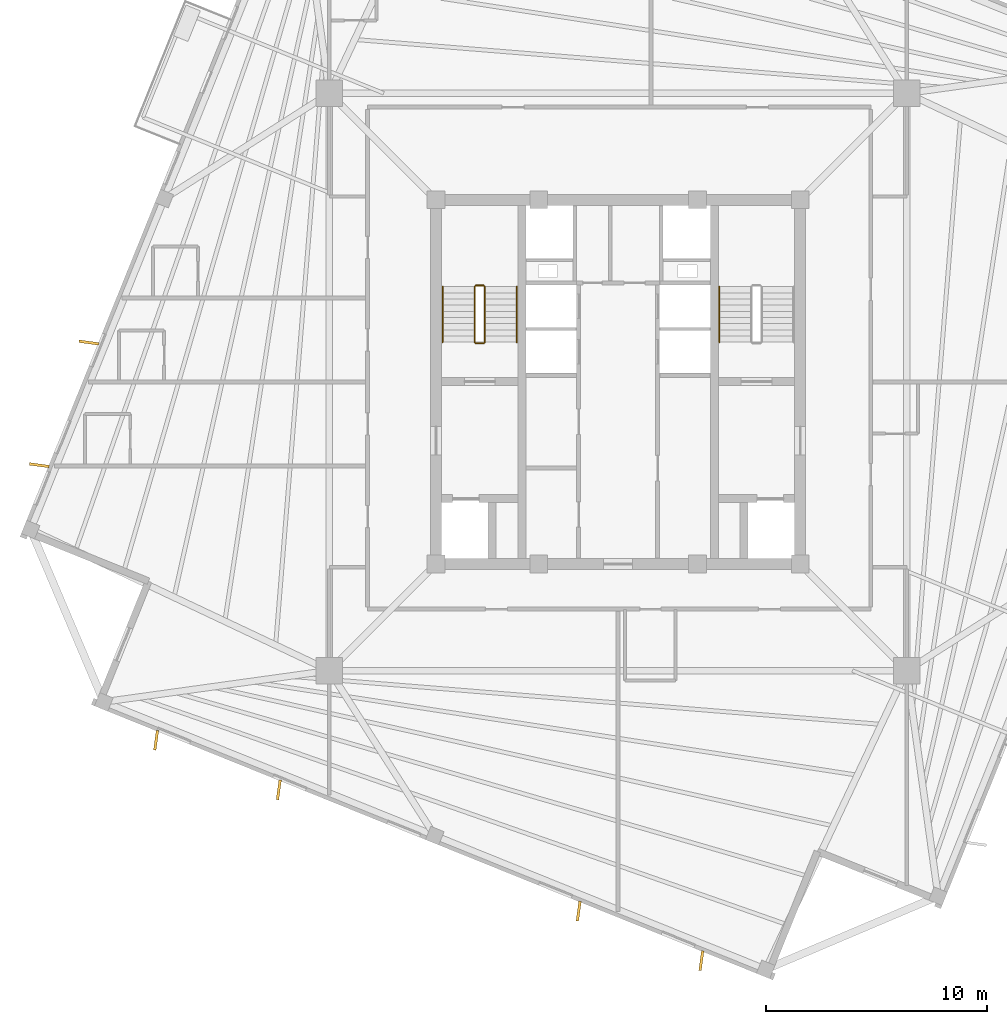
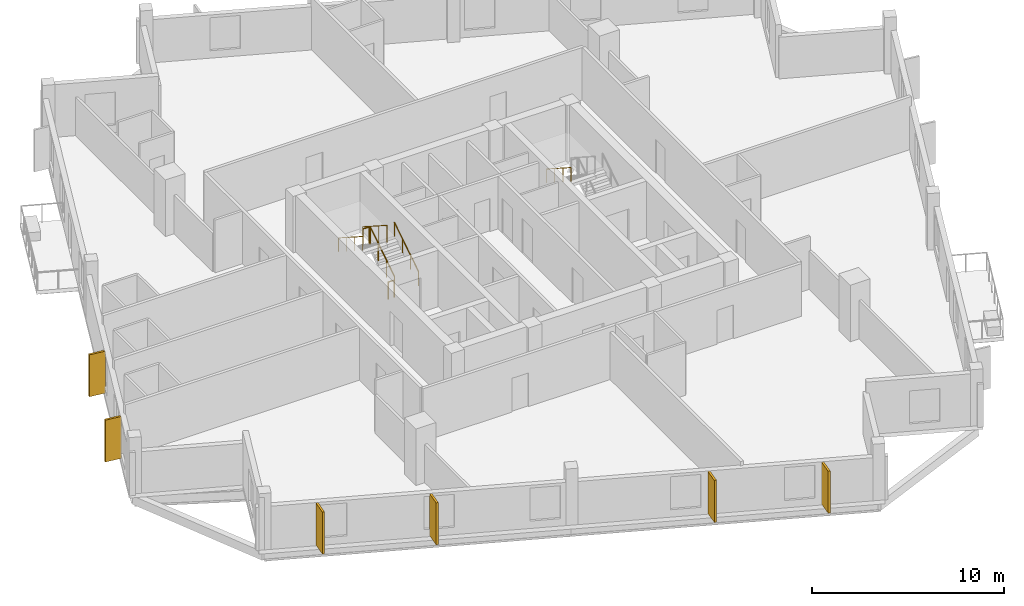
# One storey, part 6 of 8: 7 railings, 6 coverings.
"""IFC4 building model written with IfcOpenShell, lengths in metres."""

from ifc_helpers import new_model, si_unit, direction, frame, origin, origin_2d, place, context, subcontext, project, spatial, rectangle, circle, extrude, source, transform, mapped, material, layer, layer_set, type_object, element, save


model = new_model("IFC4")

# Units and contexts
model_context = context("Model", 3, precision=1e-05, world=origin(), true_north=direction((0.0, 1.0)))
body_context = subcontext(model_context, "Body", "Model", "MODEL_VIEW")
ifc_project = project(units=[si_unit("LENGTHUNIT", "METRE"), si_unit("AREAUNIT", "SQUARE_METRE"), si_unit("VOLUMEUNIT", "CUBIC_METRE"), si_unit("PLANEANGLEUNIT", "RADIAN"), si_unit("MASSUNIT", "GRAM", prefix="KILO"), si_unit("THERMODYNAMICTEMPERATUREUNIT", "KELVIN")], contexts=[model_context])

# Site, building, storey
site_placement = place(None, origin())
site = spatial("IfcSite", under=ifc_project, at=site_placement, CompositionType="ELEMENT")
building_placement = place(site_placement, origin())
building = spatial("IfcBuilding", under=site, at=building_placement, Name="Kosmvard Interchange Tower", CompositionType="ELEMENT")
storey_placement = place(building_placement, frame((0.0, 0.0, 294.0)))
storey = spatial("IfcBuildingStorey", under=building, at=storey_placement, Name="L72", CompositionType="ELEMENT", Elevation=294.0)

# Coverings
ifc_material_1 = material(Name="Architectural anodised aluminium", Category="aluminium")
ifc_layer = layer(ifc_material_1, 0.1201171875, Name="Architectural anodised aluminium")
ifc_layer_set = layer_set([ifc_layer], Name="Architectural anodised aluminium")
covering_type = type_object("IfcCoveringType", Name="Rotating Vertical Sun-Breaker Fin 900x120 Aluminium", PredefinedType="CLADDING", material=ifc_layer_set)
shared_shape_1 = source(origin(), body_context, "Body", "SweptSolid", [
    extrude(rectangle(XDim=0.89990234375, YDim=0.1201171875, at=origin_2d()), origin(), (0.0, 0.0, 1.0), 2.669921875),
])
for number, where, z_axis, x_axis, name in (
    (1, (-23.977783203125, 1.783935546875, 0.0400390625), (0.0, 0.0, 1.0), (-0.990747840471, 0.135715572434, 0.0), "L72 Rotating Vertical Sun-Breaker Fin 09"),
    (2, (-26.223876953125, -3.775390625, 0.0400390625), (0.0, 0.0, 1.0), (-0.990747840471, 0.135715572434, 0.0), "L72 Rotating Vertical Sun-Breaker Fin 10"),
    (3, (-20.932373046875, -16.2412109375, 0.0400390625), (0.0, 0.0, 1.0), (-0.135715572434, -0.990747840471, 0.0), "L72 Rotating Vertical Sun-Breaker Fin 11"),
    (4, (-15.373046875, -18.4873046875, 0.0400390625), (0.0, 0.0, 1.0), (-0.135715572434, -0.990747840471, 0.0), "L72 Rotating Vertical Sun-Breaker Fin 12"),
    (5, (-1.783935546875, -23.977783203125, 0.0400390625), (0.0, 0.0, 1.0), (-0.135715572434, -0.990747840471, 0.0), "L72 Rotating Vertical Sun-Breaker Fin 13"),
    (6, (3.775390625, -26.223876953125, 0.0400390625), (0.0, 0.0, 1.0), (-0.135715572434, -0.990747840471, 0.0), "L72 Rotating Vertical Sun-Breaker Fin 14"),
):
    element("IfcCovering", number, at=place(storey_placement, frame(where, z_axis=z_axis, x_axis=x_axis)), inside=storey, type_object=covering_type, Name=name, PredefinedType="CLADDING", context=body_context, shape_type="MappedRepresentation", body=[
        mapped(shared_shape_1, transform((0.0, 0.0, 0.0), scale=1.0)),
    ])

# Railings
ifc_material_2 = material(Name="Steel S355", Category="steel")
railing_type_1 = type_object("IfcRailingType", Name="Stair & Terrace Safety Guardrail 1100 Steel", PredefinedType="GUARDRAIL", material=ifc_material_2)
shared_shape_2 = source(origin(), body_context, "Body", "SweptSolid", [
    extrude(circle(Radius=0.02392578125, at=origin_2d()), frame((0.0, 0.0, 1.076171875), z_axis=(-1.0, 0.0, 0.0), x_axis=(0.0, -1.0, 0.0)), (0.0, 0.0, 1.0), 0.35986328125),
    extrude(circle(Radius=0.02099609375, at=origin_2d()), origin(), (0.0, 0.0, 1.0), 1.052001953125),
    extrude(circle(Radius=0.02099609375, at=origin_2d()), frame((-0.35986328125, 0.0, 0.0)), (0.0, 0.0, 1.0), 1.052001953125),
])
for number, where, name in (
    (7, (-6.090087890625, 4.3701171875, 1.800048828125), "L72 ST-1 stair guard 2"),
    (8, (-6.090087890625, 1.75, 0.0), "L72 ST-1 stair guard 4"),
):
    element("IfcRailing", number, at=place(storey_placement, frame(where)), inside=storey, type_object=railing_type_1, Name=name, PredefinedType="GUARDRAIL", context=body_context, shape_type="MappedRepresentation", body=[
        mapped(shared_shape_2, transform((0.0, 0.0, 0.0), scale=1.0)),
    ])
shared_shape_3 = source(origin(), body_context, "Body", "SweptSolid", [
    extrude(circle(Radius=0.02392578125, at=origin_2d()), frame((0.0, 0.0, 1.076171875), z_axis=(0.0, 0.841162588446, 0.540782303519), x_axis=(-1.0, 0.0, 0.0)), (0.0, 0.0, 1.0), 2.995849609375),
    extrude(circle(Radius=0.02099609375, at=origin_2d()), origin(), (0.0, 0.0, 1.0), 1.052001953125),
    extrude(circle(Radius=0.02099609375, at=origin_2d()), frame((0.0, 0.840087890625, 0.5400390625)), (0.0, 0.0, 1.0), 1.052001953125),
    extrude(circle(Radius=0.02099609375, at=origin_2d()), frame((0.0, 1.679931640625, 1.080078125)), (0.0, 0.0, 1.0), 1.052001953125),
    extrude(circle(Radius=0.02099609375, at=origin_2d()), frame((0.0, 2.52001953125, 1.6201171875)), (0.0, 0.0, 1.0), 1.052001953125),
])
railing_1_placement = place(storey_placement, frame((-6.0400390625, 1.800048828125, 0.179931640625)))
element("IfcRailing", 9, at=railing_1_placement, inside=storey, type_object=railing_type_1, Name="L72 ST-1 stair guard 1", PredefinedType="GUARDRAIL", context=body_context, shape_type="MappedRepresentation", body=[
    mapped(shared_shape_3, transform((0.0, 0.0, 0.0), scale=1.0)),
])
shared_shape_4 = source(origin(), body_context, "Body", "SweptSolid", [
    extrude(circle(Radius=0.02392578125, at=origin_2d()), frame((0.0, 0.0, 1.076171875), z_axis=(0.0, -0.841162588446, 0.540782303519), x_axis=(1.0, 0.0, 0.0)), (0.0, 0.0, 1.0), 2.995849609375),
    extrude(circle(Radius=0.02099609375, at=origin_2d()), origin(), (0.0, 0.0, 1.0), 1.052001953125),
    extrude(circle(Radius=0.02099609375, at=origin_2d()), frame((0.0, -0.840087890625, 0.5400390625)), (0.0, 0.0, 1.0), 1.052001953125),
    extrude(circle(Radius=0.02099609375, at=origin_2d()), frame((0.0, -1.679931640625, 1.080078125)), (0.0, 0.0, 1.0), 1.052001953125),
    extrude(circle(Radius=0.02099609375, at=origin_2d()), frame((0.0, -2.52001953125, 1.6201171875)), (0.0, 0.0, 1.0), 1.052001953125),
])
railing_2_placement = place(storey_placement, frame((-6.5, 4.320068359375, 1.97998046875)))
element("IfcRailing", 10, at=railing_2_placement, inside=storey, type_object=railing_type_1, Name="L72 ST-1 stair guard 3", PredefinedType="GUARDRAIL", context=body_context, shape_type="MappedRepresentation", body=[
    mapped(shared_shape_4, transform((0.0, 0.0, 0.0), scale=1.0)),
])
railing_type_2 = type_object("IfcRailingType", Name="Wall-Mounted Stair Handrail 900 Steel", PredefinedType="HANDRAIL", material=ifc_material_2)
shared_shape_5 = source(origin(), body_context, "Body", "SweptSolid", [
    extrude(circle(Radius=0.02392578125, at=origin_2d()), frame((0.0, 0.0, 0.8759765625), z_axis=(0.0, 0.841162588446, 0.540782303519), x_axis=(-1.0, 0.0, 0.0)), (0.0, 0.0, 1.0), 2.995849609375),
    extrude(circle(Radius=0.02099609375, at=origin_2d()), origin(), (0.0, 0.0, 1.0), 0.851806640625),
    extrude(circle(Radius=0.02099609375, at=origin_2d()), frame((0.0, 0.840087890625, 0.5400390625)), (0.0, 0.0, 1.0), 0.851806640625),
    extrude(circle(Radius=0.02099609375, at=origin_2d()), frame((0.0, 1.679931640625, 1.080078125)), (0.0, 0.0, 1.0), 0.851806640625),
    extrude(circle(Radius=0.02099609375, at=origin_2d()), frame((0.0, 2.52001953125, 1.6201171875)), (0.0, 0.0, 1.0), 0.851806640625),
])
railing_3_placement = place(storey_placement, frame((-4.590087890625, 1.800048828125, 0.179931640625)))
element("IfcRailing", 11, at=railing_3_placement, inside=storey, type_object=railing_type_2, Name="L72 ST-1 stair handrail 1", PredefinedType="HANDRAIL", context=body_context, shape_type="MappedRepresentation", body=[
    mapped(shared_shape_5, transform((0.0, 0.0, 0.0), scale=1.0)),
])
shared_shape_6 = source(origin(), body_context, "Body", "SweptSolid", [
    extrude(circle(Radius=0.02392578125, at=origin_2d()), frame((0.0, 0.0, 0.8759765625), z_axis=(0.0, -0.841162588446, 0.540782303519), x_axis=(1.0, 0.0, 0.0)), (0.0, 0.0, 1.0), 2.995849609375),
    extrude(circle(Radius=0.02099609375, at=origin_2d()), origin(), (0.0, 0.0, 1.0), 0.851806640625),
    extrude(circle(Radius=0.02099609375, at=origin_2d()), frame((0.0, -0.840087890625, 0.5400390625)), (0.0, 0.0, 1.0), 0.851806640625),
    extrude(circle(Radius=0.02099609375, at=origin_2d()), frame((0.0, -1.679931640625, 1.080078125)), (0.0, 0.0, 1.0), 0.851806640625),
    extrude(circle(Radius=0.02099609375, at=origin_2d()), frame((0.0, -2.52001953125, 1.6201171875)), (0.0, 0.0, 1.0), 0.851806640625),
])
for number, where, name in (
    (12, (-7.949951171875, 4.320068359375, 1.97998046875), "L72 ST-1 stair handrail 2"),
    (13, (4.590087890625, 4.320068359375, 1.97998046875), "L72 ST-2 stair handrail 2"),
):
    element("IfcRailing", number, at=place(storey_placement, frame(where)), inside=storey, type_object=railing_type_2, Name=name, PredefinedType="HANDRAIL", context=body_context, shape_type="MappedRepresentation", body=[
        mapped(shared_shape_6, transform((0.0, 0.0, 0.0), scale=1.0)),
    ])

save(model, "model.ifc")
